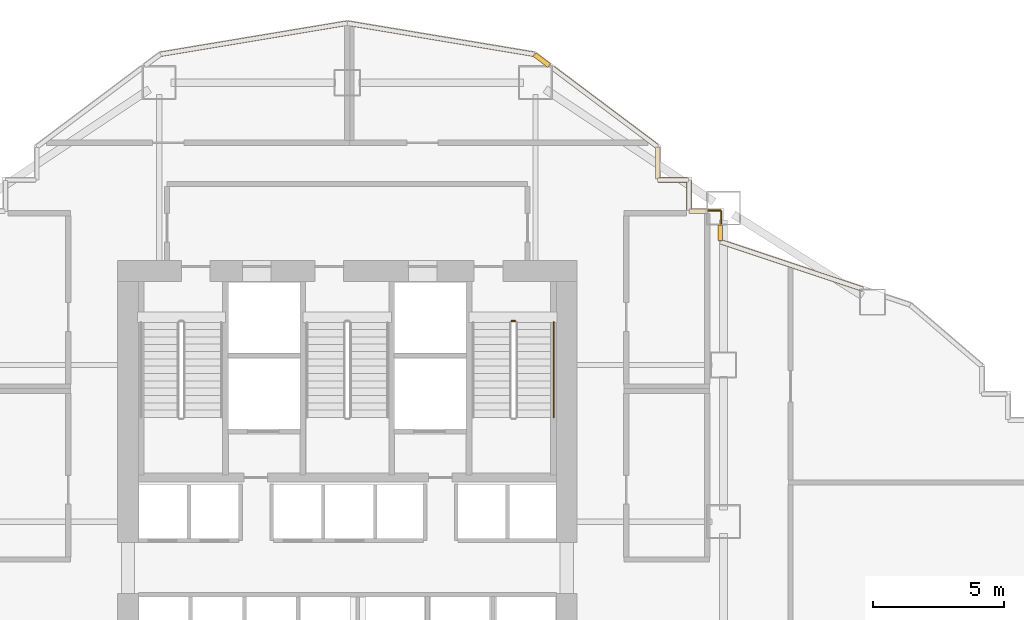
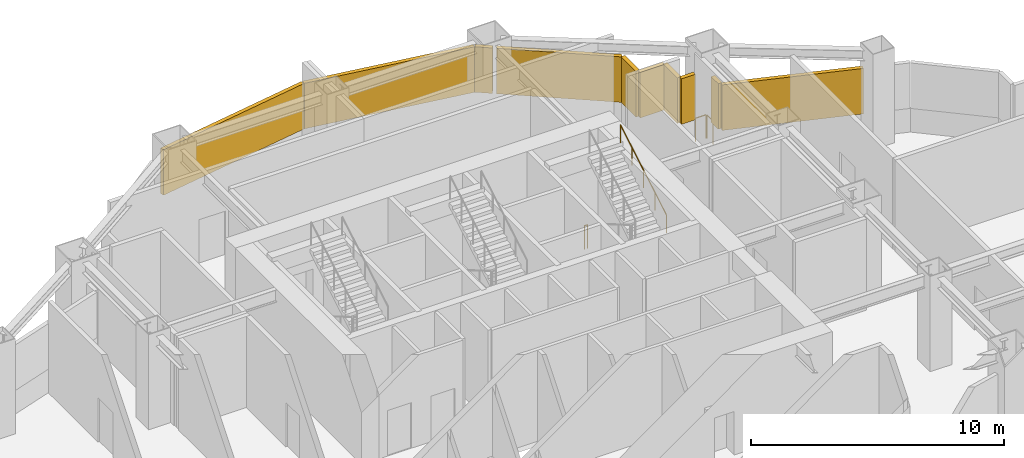
# One storey, part 11 of 12: 10 shading devices, 4 railings.
"""IFC4 building model written with IfcOpenShell, lengths in metres."""

from ifc_helpers import new_model, si_unit, direction, frame, origin, origin_2d, place, context, subcontext, project, spatial, rectangle, circle, extrude, material, type_object, element, save


model = new_model("IFC4")

# Units and contexts
model_context = context("Model", 3, precision=1e-05, world=origin(), true_north=direction((0.0, 1.0)))
body_context = subcontext(model_context, "Body", "Model", "MODEL_VIEW")
ifc_project = project(units=[si_unit("LENGTHUNIT", "METRE"), si_unit("AREAUNIT", "SQUARE_METRE"), si_unit("VOLUMEUNIT", "CUBIC_METRE"), si_unit("PLANEANGLEUNIT", "RADIAN"), si_unit("MASSUNIT", "GRAM", prefix="KILO")], contexts=[model_context])

# Site, building, storey
site_placement = place(None, origin())
site = spatial("IfcSite", under=ifc_project, at=site_placement, CompositionType="ELEMENT")
building_placement = place(site_placement, origin())
building = spatial("IfcBuilding", under=site, at=building_placement, Name="Haolan Belvedere Tower", CompositionType="ELEMENT")
storey_placement = place(building_placement, frame((0.0, 0.0, 43.0)))
storey = spatial("IfcBuildingStorey", under=building, at=storey_placement, Name="L10", CompositionType="ELEMENT", Elevation=43.0)

# Railings
ifc_material_1 = material(Name="Galvanised powder-coated steel guardrail", Category="steel")
railing_type_1 = type_object("IfcRailingType", Name="RL-REF-GRD-1150", PredefinedType="GUARDRAIL", material=ifc_material_1)
railing_1_placement = place(storey_placement, frame((52.2099609375, 45.510009765625, 0.0)))
element("IfcRailing", 1, at=railing_1_placement, inside=storey, type_object=railing_type_1, Name="L10 refuge corner safety guardrail 9A", PredefinedType="GUARDRAIL", context=body_context, shape_type="SweptSolid", body=[
    extrude(circle(Radius=0.02392578125, at=origin_2d()), frame((0.0, 0.0, 1.1259765625), z_axis=(1.0, 0.0, 0.0), x_axis=(0.0, 1.0, 0.0)), (0.0, 0.0, 1.0), 0.469970703125),
    extrude(circle(Radius=0.02099609375, at=origin_2d()), origin(), (0.0, 0.0, 1.0), 1.101806640625),
    extrude(circle(Radius=0.02099609375, at=origin_2d()), frame((0.469970703125, 0.0, 0.0)), (0.0, 0.0, 1.0), 1.101806640625),
])
railing_2_placement = place(storey_placement, frame((52.7099609375, 45.47998046875, 0.0)))
element("IfcRailing", 2, at=railing_2_placement, inside=storey, type_object=railing_type_1, Name="L10 refuge corner safety guardrail 9B", PredefinedType="GUARDRAIL", context=body_context, shape_type="SweptSolid", body=[
    extrude(circle(Radius=0.02392578125, at=origin_2d()), frame((0.0, 0.0, 1.1259765625), z_axis=(0.0, -1.0, 0.0), x_axis=(1.0, 0.0, 0.0)), (0.0, 0.0, 1.0), 0.469970703125),
    extrude(circle(Radius=0.02099609375, at=origin_2d()), origin(), (0.0, 0.0, 1.0), 1.101806640625),
    extrude(circle(Radius=0.02099609375, at=origin_2d()), frame((0.0, -0.469970703125, 0.0)), (0.0, 0.0, 1.0), 1.101806640625),
])
ifc_material_2 = material(Name="Brushed stainless steel 304", Category="steel")
railing_type_2 = type_object("IfcRailingType", Name="RL-STAIR-GRD-1150", PredefinedType="GUARDRAIL", material=ifc_material_2)
railing_3_placement = place(storey_placement, frame((44.68994140625, 41.280029296875, 0.0)))
element("IfcRailing", 3, at=railing_3_placement, inside=storey, type_object=railing_type_2, Name="L10 ST2 stair guard 4", PredefinedType="GUARDRAIL", context=body_context, shape_type="SweptSolid", body=[
    extrude(circle(Radius=0.02392578125, at=origin_2d()), frame((0.0, 0.0, 1.1259765625), z_axis=(1.0, 0.0, 0.0), x_axis=(0.0, 1.0, 0.0)), (0.0, 0.0, 1.0), 0.14013671875),
    extrude(circle(Radius=0.02099609375, at=origin_2d()), origin(), (0.0, 0.0, 1.0), 1.101806640625),
    extrude(circle(Radius=0.02099609375, at=origin_2d()), frame((0.14013671875, 0.0, 0.0)), (0.0, 0.0, 1.0), 1.101806640625),
])
railing_type_3 = type_object("IfcRailingType", Name="RL-STAIR-HND-900", PredefinedType="HANDRAIL", material=ifc_material_2)
railing_4_placement = place(storey_placement, frame((46.300048828125, 37.590087890625, 2.46435546875)))
element("IfcRailing", 4, at=railing_4_placement, inside=storey, type_object=railing_type_3, Name="L10 ST2 stair handrail 2", PredefinedType="HANDRAIL", context=body_context, shape_type="SweptSolid", body=[
    extrude(circle(Radius=0.02392578125, at=origin_2d()), frame((0.0, 0.0, 0.8759765625), z_axis=(0.0, 0.862489892076, 0.506074289079), x_axis=(-1.0, 0.0, 0.0)), (0.0, 0.0, 1.0), 4.22021484375),
    extrude(circle(Radius=0.02099609375, at=origin_2d()), origin(), (0.0, 0.0, 1.0), 0.851806640625),
    extrude(circle(Radius=0.02099609375, at=origin_2d()), frame((0.0, 0.909912109375, 0.533935546875)), (0.0, 0.0, 1.0), 0.851806640625),
    extrude(circle(Radius=0.02099609375, at=origin_2d()), frame((0.0, 1.81982421875, 1.06787109375)), (0.0, 0.0, 1.0), 0.851806640625),
    extrude(circle(Radius=0.02099609375, at=origin_2d()), frame((0.0, 2.72998046875, 1.601806640625)), (0.0, 0.0, 1.0), 0.851806640625),
    extrude(circle(Radius=0.02099609375, at=origin_2d()), frame((0.0, 3.639892578125, 2.1357421875)), (0.0, 0.0, 1.0), 0.851806640625),
])

# Shading devices
ifc_material_3 = material(Name="Anodised champagne-silver aluminium 6063-T6", Category="aluminium")
shading_device_type = type_object("IfcShadingDeviceType", Name="SHD-LOUV-180", PredefinedType="JALOUSIE", material=ifc_material_3)
shading_device_1_placement = place(storey_placement, frame((55.412353515625, 43.402587890625, 1.14990234375), z_axis=(0.0, 0.0, 1.0), x_axis=(-0.948683015593, 0.316228613389, 0.0)))
element("IfcShadingDevice", 5, at=shading_device_1_placement, inside=storey, type_object=shading_device_type, Name="L10 refuge storm-proof louvre bank 35.2", PredefinedType="JALOUSIE", context=body_context, shape_type="SweptSolid", body=[
    extrude(rectangle(XDim=5.72021484375, YDim=0.179931640625, at=origin_2d()), origin(), (0.0, 0.0, 1.0), 2.199951171875),
])
shading_device_2_placement = place(storey_placement, frame((52.679931640625, 44.65087890625, 1.14990234375), z_axis=(0.0, 0.0, 1.0), x_axis=(0.0, 1.0, 0.0)))
element("IfcShadingDevice", 6, at=shading_device_2_placement, inside=storey, type_object=shading_device_type, Name="L10 refuge storm-proof louvre bank 36.1", PredefinedType="JALOUSIE", context=body_context, shape_type="SweptSolid", body=[
    extrude(rectangle(XDim=0.574462890625, YDim=0.179931640625, at=origin_2d()), origin(), (0.0, 0.0, 1.0), 2.199951171875),
])
shading_device_3_placement = place(storey_placement, frame((51.819091796875, 45.47998046875, 1.14990234375), z_axis=(0.0, 0.0, 1.0), x_axis=(-1.0, 0.0, 0.0)))
element("IfcShadingDevice", 7, at=shading_device_3_placement, inside=storey, type_object=shading_device_type, Name="L10 refuge storm-proof louvre bank 37.1", PredefinedType="JALOUSIE", context=body_context, shape_type="SweptSolid", body=[
    extrude(rectangle(XDim=0.637939453125, YDim=0.179931640625, at=origin_2d()), origin(), (0.0, 0.0, 1.0), 2.199951171875),
])
for number, where, z_axis, x_axis, name in (
    (8, (51.47998046875, 46.094970703125, 1.14990234375), (0.0, 0.0, 1.0), (0.0, 1.0, 0.0), "L10 refuge storm-proof louvre bank 38.1"),
    (9, (50.864990234375, 46.679931640625, 1.14990234375), (0.0, 0.0, 1.0), (-1.0, 0.0, 0.0), "L10 refuge storm-proof louvre bank 39.1"),
):
    element("IfcShadingDevice", number, at=place(storey_placement, frame(where, z_axis=z_axis, x_axis=x_axis)), inside=storey, type_object=shading_device_type, Name=name, PredefinedType="JALOUSIE", context=body_context, shape_type="SweptSolid", body=[
        extrude(rectangle(XDim=1.1298828125, YDim=0.179931640625, at=origin_2d()), origin(), (0.0, 0.0, 1.0), 2.199951171875),
    ])
shading_device_4_placement = place(storey_placement, frame((50.280029296875, 47.324951171875, 1.14990234375), z_axis=(0.0, 0.0, 1.0), x_axis=(0.0, 1.0, 0.0)))
element("IfcShadingDevice", 10, at=shading_device_4_placement, inside=storey, type_object=shading_device_type, Name="L10 refuge storm-proof louvre bank 40.1", PredefinedType="JALOUSIE", context=body_context, shape_type="SweptSolid", body=[
    extrude(rectangle(XDim=1.18994140625, YDim=0.179931640625, at=origin_2d()), origin(), (0.0, 0.0, 1.0), 2.199951171875),
])
shading_device_5_placement = place(storey_placement, frame((48.2548828125, 49.458740234375, 1.14990234375), z_axis=(0.0, 0.0, 1.0), x_axis=(-0.799998928149, 0.600001429133, 0.0)))
element("IfcShadingDevice", 11, at=shading_device_5_placement, inside=storey, type_object=shading_device_type, Name="L10 refuge storm-proof louvre bank 41.1", PredefinedType="JALOUSIE", context=body_context, shape_type="SweptSolid", body=[
    extrude(rectangle(XDim=4.992431640625, YDim=0.179931640625, at=origin_2d()), origin(), (0.0, 0.0, 1.0), 2.199951171875),
])
shading_device_6_placement = place(storey_placement, frame((45.84765625, 51.26416015625, 1.14990234375), z_axis=(0.0, 0.0, 1.0), x_axis=(-0.799988456026, 0.600015391657, 0.0)))
element("IfcShadingDevice", 12, at=shading_device_6_placement, inside=storey, type_object=shading_device_type, Name="L10 refuge storm-proof louvre bank 41.2", PredefinedType="JALOUSIE", context=body_context, shape_type="SweptSolid", body=[
    extrude(rectangle(XDim=0.70068359375, YDim=0.179931640625, at=origin_2d()), origin(), (0.0, 0.0, 1.0), 2.199951171875),
])
for number, where, z_axis, x_axis, name in (
    (13, (41.9755859375, 52.08251953125, 1.14990234375), (0.0, 0.0, 1.0), (-0.986394848329, 0.164393440227, 0.0), "L10 refuge storm-proof louvre bank 42.1"),
    (14, (34.82421875, 52.08251953125, 1.14990234375), (0.0, 0.0, 1.0), (-0.986394848329, -0.164393440227, 0.0), "L10 refuge storm-proof louvre bank 43.1"),
):
    element("IfcShadingDevice", number, at=place(storey_placement, frame(where, z_axis=z_axis, x_axis=x_axis)), inside=storey, type_object=shading_device_type, Name=name, PredefinedType="JALOUSIE", context=body_context, shape_type="SweptSolid", body=[
        extrude(rectangle(XDim=7.2099609375, YDim=0.179931640625, at=origin_2d()), origin(), (0.0, 0.0, 1.0), 2.199951171875),
    ])

save(model, "model.ifc")
